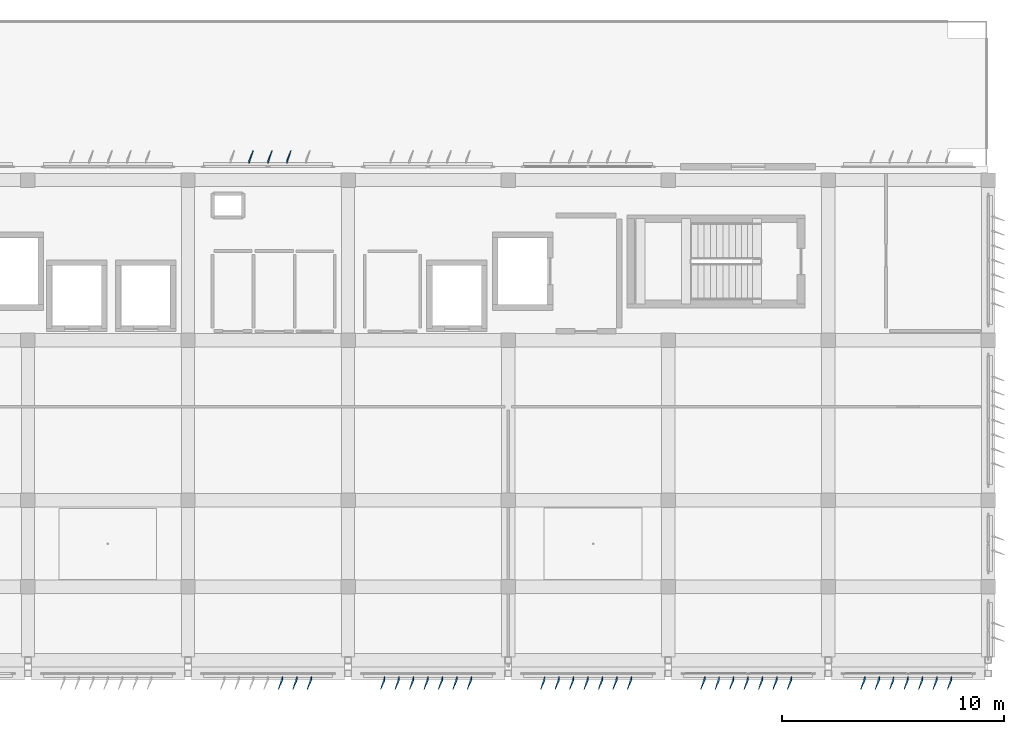
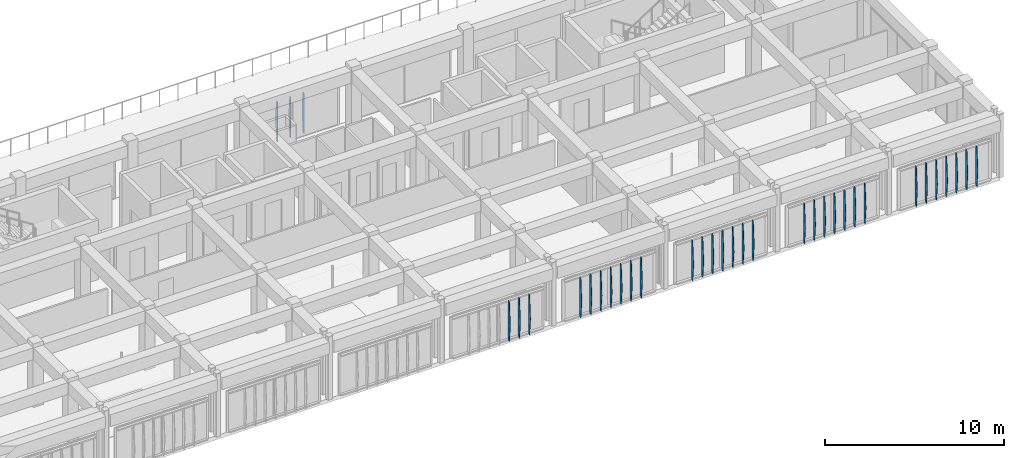
# One storey, part 38 of 42: 34 plates.
"""IFC4 building model written with IfcOpenShell, lengths in metres."""

from ifc_helpers import new_model, si_unit, direction, frame, origin, place, context, subcontext, project, spatial, polygons, material, layer, layer_set, type_object, element, save


model = new_model("IFC4")

# Units and contexts
model_context = context("Model", 3, precision=1e-05, world=origin(), true_north=direction((0.0, 1.0)))
body_context = subcontext(model_context, "Body", "Model", "MODEL_VIEW")
ifc_project = project(units=[si_unit("LENGTHUNIT", "METRE"), si_unit("AREAUNIT", "SQUARE_METRE"), si_unit("VOLUMEUNIT", "CUBIC_METRE"), si_unit("PLANEANGLEUNIT", "RADIAN"), si_unit("MASSUNIT", "GRAM", prefix="KILO")], contexts=[model_context])

# Site, building, storey
site_placement = place(None, origin())
site = spatial("IfcSite", under=ifc_project, at=site_placement, CompositionType="ELEMENT")
building_placement = place(site_placement, origin())
building = spatial("IfcBuilding", under=site, at=building_placement, Name="Kazehaya Institute of Natural Sciences", CompositionType="ELEMENT")
storey_placement = place(building_placement, frame((0.0, 0.0, 37.6201171875)))
storey = spatial("IfcBuildingStorey", under=building, at=storey_placement, Name="L08", CompositionType="ELEMENT", Elevation=37.6201171875)

# Plates
ifc_material = material(Name="Bronze-anodised aluminium alloy A6063S-T5", Category="aluminium")
ifc_layer_1 = layer(ifc_material, 0.02001953125, Name="Bronze-anodised aluminium alloy A6063S-T5", Category="aluminium")
ifc_layer_set_1 = layer_set([ifc_layer_1], Name="Bronze-anodised aluminium alloy A6063S-T5")
plate_type_1 = type_object("IfcPlateType", Name="FIN-DF-N1", PredefinedType="USERDEFINED", material=ifc_layer_set_1)
plate_1_placement = place(storey_placement, origin())
element("IfcPlate", 1, at=plate_1_placement, inside=storey, type_object=plate_type_1, Name="L08 folded diamond-pyramid shading fin FIN-L08-N-0786", ObjectType="SHADING_FIN", PredefinedType="USERDEFINED", context=body_context, shape_type="Tessellation", body=[
    polygons([(86.139892578125, 29.155029296875, 0.039794921875), (86.139892578125, 29.300048828125, 0.039794921875), (86.318603515625, 29.7099609375, 1.409912109375), (86.139892578125, 29.300048828125, 2.77978515625), (86.139892578125, 29.155029296875, 2.77978515625), (86.159912109375, 29.155029296875, 0.039794921875), (86.159912109375, 29.300048828125, 0.039794921875), (86.338623046875, 29.7099609375, 1.409912109375), (86.159912109375, 29.300048828125, 2.77978515625), (86.159912109375, 29.155029296875, 2.77978515625)], [[[1, 5, 4, 3, 2]], [[6, 7, 8, 9, 10]], [[1, 2, 7, 6]], [[2, 3, 8, 7]], [[3, 4, 9, 8]], [[4, 5, 10, 9]], [[5, 1, 6, 10]]], closed=True),
])
plate_2_placement = place(storey_placement, origin())
element("IfcPlate", 2, at=plate_2_placement, inside=storey, type_object=plate_type_1, Name="L08 folded diamond-pyramid shading fin FIN-L08-N-0787", ObjectType="SHADING_FIN", PredefinedType="USERDEFINED", context=body_context, shape_type="Tessellation", body=[
    polygons([(86.989990234375, 29.155029296875, 0.039794921875), (86.989990234375, 29.300048828125, 0.039794921875), (87.168701171875, 29.7099609375, 1.409912109375), (86.989990234375, 29.300048828125, 2.77978515625), (86.989990234375, 29.155029296875, 2.77978515625), (87.010009765625, 29.155029296875, 0.039794921875), (87.010009765625, 29.300048828125, 0.039794921875), (87.188720703125, 29.7099609375, 1.409912109375), (87.010009765625, 29.300048828125, 2.77978515625), (87.010009765625, 29.155029296875, 2.77978515625)], [[[1, 5, 4, 3, 2]], [[6, 7, 8, 9, 10]], [[1, 2, 7, 6]], [[2, 3, 8, 7]], [[3, 4, 9, 8]], [[4, 5, 10, 9]], [[5, 1, 6, 10]]], closed=True),
])
plate_3_placement = place(storey_placement, origin())
element("IfcPlate", 3, at=plate_3_placement, inside=storey, type_object=plate_type_1, Name="L08 folded diamond-pyramid shading fin FIN-L08-N-0788", ObjectType="SHADING_FIN", PredefinedType="USERDEFINED", context=body_context, shape_type="Tessellation", body=[
    polygons([(87.840087890625, 29.155029296875, 0.039794921875), (87.840087890625, 29.300048828125, 0.039794921875), (88.018798828125, 29.7099609375, 1.409912109375), (87.840087890625, 29.300048828125, 2.77978515625), (87.840087890625, 29.155029296875, 2.77978515625), (87.860107421875, 29.155029296875, 0.039794921875), (87.860107421875, 29.300048828125, 0.039794921875), (88.038818359375, 29.7099609375, 1.409912109375), (87.860107421875, 29.300048828125, 2.77978515625), (87.860107421875, 29.155029296875, 2.77978515625)], [[[1, 5, 4, 3, 2]], [[6, 7, 8, 9, 10]], [[1, 2, 7, 6]], [[2, 3, 8, 7]], [[3, 4, 9, 8]], [[4, 5, 10, 9]], [[5, 1, 6, 10]]], closed=True),
])
ifc_layer_2 = layer(ifc_material, 0.02001953125, Name="Bronze-anodised aluminium alloy A6063S-T5", Category="aluminium")
ifc_layer_set_2 = layer_set([ifc_layer_2], Name="Bronze-anodised aluminium alloy A6063S-T5")
plate_type_2 = type_object("IfcPlateType", Name="FIN-DF-S1", PredefinedType="USERDEFINED", material=ifc_layer_set_2)
plate_4_placement = place(storey_placement, origin())
element("IfcPlate", 4, at=plate_4_placement, inside=storey, type_object=plate_type_2, Name="L08 folded diamond-pyramid shading fin FIN-L08-S-0702", ObjectType="SHADING_FIN", PredefinedType="USERDEFINED", context=body_context, shape_type="Tessellation", body=[
    polygons([(117.760009765625, 6.044921875, 0.039794921875), (117.760009765625, 5.89990234375, 0.039794921875), (117.581298828125, 5.489990234375, 1.409912109375), (117.760009765625, 5.89990234375, 2.77978515625), (117.760009765625, 6.044921875, 2.77978515625), (117.739990234375, 6.044921875, 0.039794921875), (117.739990234375, 5.89990234375, 0.039794921875), (117.561279296875, 5.489990234375, 1.409912109375), (117.739990234375, 5.89990234375, 2.77978515625), (117.739990234375, 6.044921875, 2.77978515625)], [[[1, 5, 4, 3, 2]], [[6, 7, 8, 9, 10]], [[1, 2, 7, 6]], [[2, 3, 8, 7]], [[3, 4, 9, 8]], [[4, 5, 10, 9]], [[5, 1, 6, 10]]], closed=True),
])
plate_5_placement = place(storey_placement, origin())
element("IfcPlate", 5, at=plate_5_placement, inside=storey, type_object=plate_type_2, Name="L08 folded diamond-pyramid shading fin FIN-L08-S-0703", ObjectType="SHADING_FIN", PredefinedType="USERDEFINED", context=body_context, shape_type="Tessellation", body=[
    polygons([(117.110107421875, 6.044921875, 0.039794921875), (117.110107421875, 5.89990234375, 0.039794921875), (116.931396484375, 5.489990234375, 1.409912109375), (117.110107421875, 5.89990234375, 2.77978515625), (117.110107421875, 6.044921875, 2.77978515625), (117.090087890625, 6.044921875, 0.039794921875), (117.090087890625, 5.89990234375, 0.039794921875), (116.911376953125, 5.489990234375, 1.409912109375), (117.090087890625, 5.89990234375, 2.77978515625), (117.090087890625, 6.044921875, 2.77978515625)], [[[1, 5, 4, 3, 2]], [[6, 7, 8, 9, 10]], [[1, 2, 7, 6]], [[2, 3, 8, 7]], [[3, 4, 9, 8]], [[4, 5, 10, 9]], [[5, 1, 6, 10]]], closed=True),
])
plate_6_placement = place(storey_placement, origin())
element("IfcPlate", 6, at=plate_6_placement, inside=storey, type_object=plate_type_2, Name="L08 folded diamond-pyramid shading fin FIN-L08-S-0704", ObjectType="SHADING_FIN", PredefinedType="USERDEFINED", context=body_context, shape_type="Tessellation", body=[
    polygons([(116.4599609375, 6.044921875, 0.039794921875), (116.4599609375, 5.89990234375, 0.039794921875), (116.28125, 5.489990234375, 1.409912109375), (116.4599609375, 5.89990234375, 2.77978515625), (116.4599609375, 6.044921875, 2.77978515625), (116.43994140625, 6.044921875, 0.039794921875), (116.43994140625, 5.89990234375, 0.039794921875), (116.26123046875, 5.489990234375, 1.409912109375), (116.43994140625, 5.89990234375, 2.77978515625), (116.43994140625, 6.044921875, 2.77978515625)], [[[1, 5, 4, 3, 2]], [[6, 7, 8, 9, 10]], [[1, 2, 7, 6]], [[2, 3, 8, 7]], [[3, 4, 9, 8]], [[4, 5, 10, 9]], [[5, 1, 6, 10]]], closed=True),
])
plate_7_placement = place(storey_placement, origin())
element("IfcPlate", 7, at=plate_7_placement, inside=storey, type_object=plate_type_2, Name="L08 folded diamond-pyramid shading fin FIN-L08-S-0705", ObjectType="SHADING_FIN", PredefinedType="USERDEFINED", context=body_context, shape_type="Tessellation", body=[
    polygons([(115.81005859375, 6.044921875, 0.039794921875), (115.81005859375, 5.89990234375, 0.039794921875), (115.63134765625, 5.489990234375, 1.409912109375), (115.81005859375, 5.89990234375, 2.77978515625), (115.81005859375, 6.044921875, 2.77978515625), (115.7900390625, 6.044921875, 0.039794921875), (115.7900390625, 5.89990234375, 0.039794921875), (115.611328125, 5.489990234375, 1.409912109375), (115.7900390625, 5.89990234375, 2.77978515625), (115.7900390625, 6.044921875, 2.77978515625)], [[[1, 5, 4, 3, 2]], [[6, 7, 8, 9, 10]], [[1, 2, 7, 6]], [[2, 3, 8, 7]], [[3, 4, 9, 8]], [[4, 5, 10, 9]], [[5, 1, 6, 10]]], closed=True),
])
plate_8_placement = place(storey_placement, origin())
element("IfcPlate", 8, at=plate_8_placement, inside=storey, type_object=plate_type_2, Name="L08 folded diamond-pyramid shading fin FIN-L08-S-0706", ObjectType="SHADING_FIN", PredefinedType="USERDEFINED", context=body_context, shape_type="Tessellation", body=[
    polygons([(115.159912109375, 6.044921875, 0.039794921875), (115.159912109375, 5.89990234375, 0.039794921875), (114.981201171875, 5.489990234375, 1.409912109375), (115.159912109375, 5.89990234375, 2.77978515625), (115.159912109375, 6.044921875, 2.77978515625), (115.139892578125, 6.044921875, 0.039794921875), (115.139892578125, 5.89990234375, 0.039794921875), (114.961181640625, 5.489990234375, 1.409912109375), (115.139892578125, 5.89990234375, 2.77978515625), (115.139892578125, 6.044921875, 2.77978515625)], [[[1, 5, 4, 3, 2]], [[6, 7, 8, 9, 10]], [[1, 2, 7, 6]], [[2, 3, 8, 7]], [[3, 4, 9, 8]], [[4, 5, 10, 9]], [[5, 1, 6, 10]]], closed=True),
])
plate_9_placement = place(storey_placement, origin())
element("IfcPlate", 9, at=plate_9_placement, inside=storey, type_object=plate_type_2, Name="L08 folded diamond-pyramid shading fin FIN-L08-S-0707", ObjectType="SHADING_FIN", PredefinedType="USERDEFINED", context=body_context, shape_type="Tessellation", body=[
    polygons([(114.510009765625, 6.044921875, 0.039794921875), (114.510009765625, 5.89990234375, 0.039794921875), (114.331298828125, 5.489990234375, 1.409912109375), (114.510009765625, 5.89990234375, 2.77978515625), (114.510009765625, 6.044921875, 2.77978515625), (114.489990234375, 6.044921875, 0.039794921875), (114.489990234375, 5.89990234375, 0.039794921875), (114.311279296875, 5.489990234375, 1.409912109375), (114.489990234375, 5.89990234375, 2.77978515625), (114.489990234375, 6.044921875, 2.77978515625)], [[[1, 5, 4, 3, 2]], [[6, 7, 8, 9, 10]], [[1, 2, 7, 6]], [[2, 3, 8, 7]], [[3, 4, 9, 8]], [[4, 5, 10, 9]], [[5, 1, 6, 10]]], closed=True),
])
plate_10_placement = place(storey_placement, origin())
element("IfcPlate", 10, at=plate_10_placement, inside=storey, type_object=plate_type_2, Name="L08 folded diamond-pyramid shading fin FIN-L08-S-0708", ObjectType="SHADING_FIN", PredefinedType="USERDEFINED", context=body_context, shape_type="Tessellation", body=[
    polygons([(113.860107421875, 6.044921875, 0.039794921875), (113.860107421875, 5.89990234375, 0.039794921875), (113.681396484375, 5.489990234375, 1.409912109375), (113.860107421875, 5.89990234375, 2.77978515625), (113.860107421875, 6.044921875, 2.77978515625), (113.840087890625, 6.044921875, 0.039794921875), (113.840087890625, 5.89990234375, 0.039794921875), (113.661376953125, 5.489990234375, 1.409912109375), (113.840087890625, 5.89990234375, 2.77978515625), (113.840087890625, 6.044921875, 2.77978515625)], [[[1, 5, 4, 3, 2]], [[6, 7, 8, 9, 10]], [[1, 2, 7, 6]], [[2, 3, 8, 7]], [[3, 4, 9, 8]], [[4, 5, 10, 9]], [[5, 1, 6, 10]]], closed=True),
])
plate_11_placement = place(storey_placement, origin())
element("IfcPlate", 11, at=plate_11_placement, inside=storey, type_object=plate_type_2, Name="L08 folded diamond-pyramid shading fin FIN-L08-S-0709", ObjectType="SHADING_FIN", PredefinedType="USERDEFINED", context=body_context, shape_type="Tessellation", body=[
    polygons([(110.56005859375, 6.044921875, 0.039794921875), (110.56005859375, 5.89990234375, 0.039794921875), (110.38134765625, 5.489990234375, 1.409912109375), (110.56005859375, 5.89990234375, 2.77978515625), (110.56005859375, 6.044921875, 2.77978515625), (110.5400390625, 6.044921875, 0.039794921875), (110.5400390625, 5.89990234375, 0.039794921875), (110.361328125, 5.489990234375, 1.409912109375), (110.5400390625, 5.89990234375, 2.77978515625), (110.5400390625, 6.044921875, 2.77978515625)], [[[1, 5, 4, 3, 2]], [[6, 7, 8, 9, 10]], [[1, 2, 7, 6]], [[2, 3, 8, 7]], [[3, 4, 9, 8]], [[4, 5, 10, 9]], [[5, 1, 6, 10]]], closed=True),
])
plate_12_placement = place(storey_placement, origin())
element("IfcPlate", 12, at=plate_12_placement, inside=storey, type_object=plate_type_2, Name="L08 folded diamond-pyramid shading fin FIN-L08-S-0710", ObjectType="SHADING_FIN", PredefinedType="USERDEFINED", context=body_context, shape_type="Tessellation", body=[
    polygons([(109.909912109375, 6.044921875, 0.039794921875), (109.909912109375, 5.89990234375, 0.039794921875), (109.731201171875, 5.489990234375, 1.409912109375), (109.909912109375, 5.89990234375, 2.77978515625), (109.909912109375, 6.044921875, 2.77978515625), (109.889892578125, 6.044921875, 0.039794921875), (109.889892578125, 5.89990234375, 0.039794921875), (109.711181640625, 5.489990234375, 1.409912109375), (109.889892578125, 5.89990234375, 2.77978515625), (109.889892578125, 6.044921875, 2.77978515625)], [[[1, 5, 4, 3, 2]], [[6, 7, 8, 9, 10]], [[1, 2, 7, 6]], [[2, 3, 8, 7]], [[3, 4, 9, 8]], [[4, 5, 10, 9]], [[5, 1, 6, 10]]], closed=True),
])
plate_13_placement = place(storey_placement, origin())
element("IfcPlate", 13, at=plate_13_placement, inside=storey, type_object=plate_type_2, Name="L08 folded diamond-pyramid shading fin FIN-L08-S-0711", ObjectType="SHADING_FIN", PredefinedType="USERDEFINED", context=body_context, shape_type="Tessellation", body=[
    polygons([(109.260009765625, 6.044921875, 0.039794921875), (109.260009765625, 5.89990234375, 0.039794921875), (109.081298828125, 5.489990234375, 1.409912109375), (109.260009765625, 5.89990234375, 2.77978515625), (109.260009765625, 6.044921875, 2.77978515625), (109.239990234375, 6.044921875, 0.039794921875), (109.239990234375, 5.89990234375, 0.039794921875), (109.061279296875, 5.489990234375, 1.409912109375), (109.239990234375, 5.89990234375, 2.77978515625), (109.239990234375, 6.044921875, 2.77978515625)], [[[1, 5, 4, 3, 2]], [[6, 7, 8, 9, 10]], [[1, 2, 7, 6]], [[2, 3, 8, 7]], [[3, 4, 9, 8]], [[4, 5, 10, 9]], [[5, 1, 6, 10]]], closed=True),
])
plate_14_placement = place(storey_placement, origin())
element("IfcPlate", 14, at=plate_14_placement, inside=storey, type_object=plate_type_2, Name="L08 folded diamond-pyramid shading fin FIN-L08-S-0712", ObjectType="SHADING_FIN", PredefinedType="USERDEFINED", context=body_context, shape_type="Tessellation", body=[
    polygons([(108.610107421875, 6.044921875, 0.039794921875), (108.610107421875, 5.89990234375, 0.039794921875), (108.431396484375, 5.489990234375, 1.409912109375), (108.610107421875, 5.89990234375, 2.77978515625), (108.610107421875, 6.044921875, 2.77978515625), (108.590087890625, 6.044921875, 0.039794921875), (108.590087890625, 5.89990234375, 0.039794921875), (108.411376953125, 5.489990234375, 1.409912109375), (108.590087890625, 5.89990234375, 2.77978515625), (108.590087890625, 6.044921875, 2.77978515625)], [[[1, 5, 4, 3, 2]], [[6, 7, 8, 9, 10]], [[1, 2, 7, 6]], [[2, 3, 8, 7]], [[3, 4, 9, 8]], [[4, 5, 10, 9]], [[5, 1, 6, 10]]], closed=True),
])
plate_15_placement = place(storey_placement, origin())
element("IfcPlate", 15, at=plate_15_placement, inside=storey, type_object=plate_type_2, Name="L08 folded diamond-pyramid shading fin FIN-L08-S-0713", ObjectType="SHADING_FIN", PredefinedType="USERDEFINED", context=body_context, shape_type="Tessellation", body=[
    polygons([(107.9599609375, 6.044921875, 0.039794921875), (107.9599609375, 5.89990234375, 0.039794921875), (107.78125, 5.489990234375, 1.409912109375), (107.9599609375, 5.89990234375, 2.77978515625), (107.9599609375, 6.044921875, 2.77978515625), (107.93994140625, 6.044921875, 0.039794921875), (107.93994140625, 5.89990234375, 0.039794921875), (107.76123046875, 5.489990234375, 1.409912109375), (107.93994140625, 5.89990234375, 2.77978515625), (107.93994140625, 6.044921875, 2.77978515625)], [[[1, 5, 4, 3, 2]], [[6, 7, 8, 9, 10]], [[1, 2, 7, 6]], [[2, 3, 8, 7]], [[3, 4, 9, 8]], [[4, 5, 10, 9]], [[5, 1, 6, 10]]], closed=True),
])
plate_16_placement = place(storey_placement, origin())
element("IfcPlate", 16, at=plate_16_placement, inside=storey, type_object=plate_type_2, Name="L08 folded diamond-pyramid shading fin FIN-L08-S-0714", ObjectType="SHADING_FIN", PredefinedType="USERDEFINED", context=body_context, shape_type="Tessellation", body=[
    polygons([(107.31005859375, 6.044921875, 0.039794921875), (107.31005859375, 5.89990234375, 0.039794921875), (107.13134765625, 5.489990234375, 1.409912109375), (107.31005859375, 5.89990234375, 2.77978515625), (107.31005859375, 6.044921875, 2.77978515625), (107.2900390625, 6.044921875, 0.039794921875), (107.2900390625, 5.89990234375, 0.039794921875), (107.111328125, 5.489990234375, 1.409912109375), (107.2900390625, 5.89990234375, 2.77978515625), (107.2900390625, 6.044921875, 2.77978515625)], [[[1, 5, 4, 3, 2]], [[6, 7, 8, 9, 10]], [[1, 2, 7, 6]], [[2, 3, 8, 7]], [[3, 4, 9, 8]], [[4, 5, 10, 9]], [[5, 1, 6, 10]]], closed=True),
])
plate_17_placement = place(storey_placement, origin())
element("IfcPlate", 17, at=plate_17_placement, inside=storey, type_object=plate_type_2, Name="L08 folded diamond-pyramid shading fin FIN-L08-S-0715", ObjectType="SHADING_FIN", PredefinedType="USERDEFINED", context=body_context, shape_type="Tessellation", body=[
    polygons([(106.659912109375, 6.044921875, 0.039794921875), (106.659912109375, 5.89990234375, 0.039794921875), (106.481201171875, 5.489990234375, 1.409912109375), (106.659912109375, 5.89990234375, 2.77978515625), (106.659912109375, 6.044921875, 2.77978515625), (106.639892578125, 6.044921875, 0.039794921875), (106.639892578125, 5.89990234375, 0.039794921875), (106.461181640625, 5.489990234375, 1.409912109375), (106.639892578125, 5.89990234375, 2.77978515625), (106.639892578125, 6.044921875, 2.77978515625)], [[[1, 5, 4, 3, 2]], [[6, 7, 8, 9, 10]], [[1, 2, 7, 6]], [[2, 3, 8, 7]], [[3, 4, 9, 8]], [[4, 5, 10, 9]], [[5, 1, 6, 10]]], closed=True),
])
plate_18_placement = place(storey_placement, origin())
element("IfcPlate", 18, at=plate_18_placement, inside=storey, type_object=plate_type_2, Name="L08 folded diamond-pyramid shading fin FIN-L08-S-0716", ObjectType="SHADING_FIN", PredefinedType="USERDEFINED", context=body_context, shape_type="Tessellation", body=[
    polygons([(103.360107421875, 6.044921875, 0.039794921875), (103.360107421875, 5.89990234375, 0.039794921875), (103.181396484375, 5.489990234375, 1.409912109375), (103.360107421875, 5.89990234375, 2.77978515625), (103.360107421875, 6.044921875, 2.77978515625), (103.340087890625, 6.044921875, 0.039794921875), (103.340087890625, 5.89990234375, 0.039794921875), (103.161376953125, 5.489990234375, 1.409912109375), (103.340087890625, 5.89990234375, 2.77978515625), (103.340087890625, 6.044921875, 2.77978515625)], [[[1, 5, 4, 3, 2]], [[6, 7, 8, 9, 10]], [[1, 2, 7, 6]], [[2, 3, 8, 7]], [[3, 4, 9, 8]], [[4, 5, 10, 9]], [[5, 1, 6, 10]]], closed=True),
])
plate_19_placement = place(storey_placement, origin())
element("IfcPlate", 19, at=plate_19_placement, inside=storey, type_object=plate_type_2, Name="L08 folded diamond-pyramid shading fin FIN-L08-S-0717", ObjectType="SHADING_FIN", PredefinedType="USERDEFINED", context=body_context, shape_type="Tessellation", body=[
    polygons([(102.7099609375, 6.044921875, 0.039794921875), (102.7099609375, 5.89990234375, 0.039794921875), (102.53125, 5.489990234375, 1.409912109375), (102.7099609375, 5.89990234375, 2.77978515625), (102.7099609375, 6.044921875, 2.77978515625), (102.68994140625, 6.044921875, 0.039794921875), (102.68994140625, 5.89990234375, 0.039794921875), (102.51123046875, 5.489990234375, 1.409912109375), (102.68994140625, 5.89990234375, 2.77978515625), (102.68994140625, 6.044921875, 2.77978515625)], [[[1, 5, 4, 3, 2]], [[6, 7, 8, 9, 10]], [[1, 2, 7, 6]], [[2, 3, 8, 7]], [[3, 4, 9, 8]], [[4, 5, 10, 9]], [[5, 1, 6, 10]]], closed=True),
])
plate_20_placement = place(storey_placement, origin())
element("IfcPlate", 20, at=plate_20_placement, inside=storey, type_object=plate_type_2, Name="L08 folded diamond-pyramid shading fin FIN-L08-S-0718", ObjectType="SHADING_FIN", PredefinedType="USERDEFINED", context=body_context, shape_type="Tessellation", body=[
    polygons([(102.06005859375, 6.044921875, 0.039794921875), (102.06005859375, 5.89990234375, 0.039794921875), (101.88134765625, 5.489990234375, 1.409912109375), (102.06005859375, 5.89990234375, 2.77978515625), (102.06005859375, 6.044921875, 2.77978515625), (102.0400390625, 6.044921875, 0.039794921875), (102.0400390625, 5.89990234375, 0.039794921875), (101.861328125, 5.489990234375, 1.409912109375), (102.0400390625, 5.89990234375, 2.77978515625), (102.0400390625, 6.044921875, 2.77978515625)], [[[1, 5, 4, 3, 2]], [[6, 7, 8, 9, 10]], [[1, 2, 7, 6]], [[2, 3, 8, 7]], [[3, 4, 9, 8]], [[4, 5, 10, 9]], [[5, 1, 6, 10]]], closed=True),
])
plate_21_placement = place(storey_placement, origin())
element("IfcPlate", 21, at=plate_21_placement, inside=storey, type_object=plate_type_2, Name="L08 folded diamond-pyramid shading fin FIN-L08-S-0719", ObjectType="SHADING_FIN", PredefinedType="USERDEFINED", context=body_context, shape_type="Tessellation", body=[
    polygons([(101.409912109375, 6.044921875, 0.039794921875), (101.409912109375, 5.89990234375, 0.039794921875), (101.231201171875, 5.489990234375, 1.409912109375), (101.409912109375, 5.89990234375, 2.77978515625), (101.409912109375, 6.044921875, 2.77978515625), (101.389892578125, 6.044921875, 0.039794921875), (101.389892578125, 5.89990234375, 0.039794921875), (101.211181640625, 5.489990234375, 1.409912109375), (101.389892578125, 5.89990234375, 2.77978515625), (101.389892578125, 6.044921875, 2.77978515625)], [[[1, 5, 4, 3, 2]], [[6, 7, 8, 9, 10]], [[1, 2, 7, 6]], [[2, 3, 8, 7]], [[3, 4, 9, 8]], [[4, 5, 10, 9]], [[5, 1, 6, 10]]], closed=True),
])
plate_22_placement = place(storey_placement, origin())
element("IfcPlate", 22, at=plate_22_placement, inside=storey, type_object=plate_type_2, Name="L08 folded diamond-pyramid shading fin FIN-L08-S-0720", ObjectType="SHADING_FIN", PredefinedType="USERDEFINED", context=body_context, shape_type="Tessellation", body=[
    polygons([(100.760009765625, 6.044921875, 0.039794921875), (100.760009765625, 5.89990234375, 0.039794921875), (100.581298828125, 5.489990234375, 1.409912109375), (100.760009765625, 5.89990234375, 2.77978515625), (100.760009765625, 6.044921875, 2.77978515625), (100.739990234375, 6.044921875, 0.039794921875), (100.739990234375, 5.89990234375, 0.039794921875), (100.561279296875, 5.489990234375, 1.409912109375), (100.739990234375, 5.89990234375, 2.77978515625), (100.739990234375, 6.044921875, 2.77978515625)], [[[1, 5, 4, 3, 2]], [[6, 7, 8, 9, 10]], [[1, 2, 7, 6]], [[2, 3, 8, 7]], [[3, 4, 9, 8]], [[4, 5, 10, 9]], [[5, 1, 6, 10]]], closed=True),
])
plate_23_placement = place(storey_placement, origin())
element("IfcPlate", 23, at=plate_23_placement, inside=storey, type_object=plate_type_2, Name="L08 folded diamond-pyramid shading fin FIN-L08-S-0721", ObjectType="SHADING_FIN", PredefinedType="USERDEFINED", context=body_context, shape_type="Tessellation", body=[
    polygons([(100.110107421875, 6.044921875, 0.039794921875), (100.110107421875, 5.89990234375, 0.039794921875), (99.931396484375, 5.489990234375, 1.409912109375), (100.110107421875, 5.89990234375, 2.77978515625), (100.110107421875, 6.044921875, 2.77978515625), (100.090087890625, 6.044921875, 0.039794921875), (100.090087890625, 5.89990234375, 0.039794921875), (99.911376953125, 5.489990234375, 1.409912109375), (100.090087890625, 5.89990234375, 2.77978515625), (100.090087890625, 6.044921875, 2.77978515625)], [[[1, 5, 4, 3, 2]], [[6, 7, 8, 9, 10]], [[1, 2, 7, 6]], [[2, 3, 8, 7]], [[3, 4, 9, 8]], [[4, 5, 10, 9]], [[5, 1, 6, 10]]], closed=True),
])
plate_24_placement = place(storey_placement, origin())
element("IfcPlate", 24, at=plate_24_placement, inside=storey, type_object=plate_type_2, Name="L08 folded diamond-pyramid shading fin FIN-L08-S-0722", ObjectType="SHADING_FIN", PredefinedType="USERDEFINED", context=body_context, shape_type="Tessellation", body=[
    polygons([(99.4599609375, 6.044921875, 0.039794921875), (99.4599609375, 5.89990234375, 0.039794921875), (99.28125, 5.489990234375, 1.409912109375), (99.4599609375, 5.89990234375, 2.77978515625), (99.4599609375, 6.044921875, 2.77978515625), (99.43994140625, 6.044921875, 0.039794921875), (99.43994140625, 5.89990234375, 0.039794921875), (99.26123046875, 5.489990234375, 1.409912109375), (99.43994140625, 5.89990234375, 2.77978515625), (99.43994140625, 6.044921875, 2.77978515625)], [[[1, 5, 4, 3, 2]], [[6, 7, 8, 9, 10]], [[1, 2, 7, 6]], [[2, 3, 8, 7]], [[3, 4, 9, 8]], [[4, 5, 10, 9]], [[5, 1, 6, 10]]], closed=True),
])
plate_25_placement = place(storey_placement, origin())
element("IfcPlate", 25, at=plate_25_placement, inside=storey, type_object=plate_type_2, Name="L08 folded diamond-pyramid shading fin FIN-L08-S-0723", ObjectType="SHADING_FIN", PredefinedType="USERDEFINED", context=body_context, shape_type="Tessellation", body=[
    polygons([(96.159912109375, 6.044921875, 0.039794921875), (96.159912109375, 5.89990234375, 0.039794921875), (95.981201171875, 5.489990234375, 1.409912109375), (96.159912109375, 5.89990234375, 2.77978515625), (96.159912109375, 6.044921875, 2.77978515625), (96.139892578125, 6.044921875, 0.039794921875), (96.139892578125, 5.89990234375, 0.039794921875), (95.961181640625, 5.489990234375, 1.409912109375), (96.139892578125, 5.89990234375, 2.77978515625), (96.139892578125, 6.044921875, 2.77978515625)], [[[1, 5, 4, 3, 2]], [[6, 7, 8, 9, 10]], [[1, 2, 7, 6]], [[2, 3, 8, 7]], [[3, 4, 9, 8]], [[4, 5, 10, 9]], [[5, 1, 6, 10]]], closed=True),
])
plate_26_placement = place(storey_placement, origin())
element("IfcPlate", 26, at=plate_26_placement, inside=storey, type_object=plate_type_2, Name="L08 folded diamond-pyramid shading fin FIN-L08-S-0724", ObjectType="SHADING_FIN", PredefinedType="USERDEFINED", context=body_context, shape_type="Tessellation", body=[
    polygons([(95.510009765625, 6.044921875, 0.039794921875), (95.510009765625, 5.89990234375, 0.039794921875), (95.331298828125, 5.489990234375, 1.409912109375), (95.510009765625, 5.89990234375, 2.77978515625), (95.510009765625, 6.044921875, 2.77978515625), (95.489990234375, 6.044921875, 0.039794921875), (95.489990234375, 5.89990234375, 0.039794921875), (95.311279296875, 5.489990234375, 1.409912109375), (95.489990234375, 5.89990234375, 2.77978515625), (95.489990234375, 6.044921875, 2.77978515625)], [[[1, 5, 4, 3, 2]], [[6, 7, 8, 9, 10]], [[1, 2, 7, 6]], [[2, 3, 8, 7]], [[3, 4, 9, 8]], [[4, 5, 10, 9]], [[5, 1, 6, 10]]], closed=True),
])
plate_27_placement = place(storey_placement, origin())
element("IfcPlate", 27, at=plate_27_placement, inside=storey, type_object=plate_type_2, Name="L08 folded diamond-pyramid shading fin FIN-L08-S-0725", ObjectType="SHADING_FIN", PredefinedType="USERDEFINED", context=body_context, shape_type="Tessellation", body=[
    polygons([(94.860107421875, 6.044921875, 0.039794921875), (94.860107421875, 5.89990234375, 0.039794921875), (94.681396484375, 5.489990234375, 1.409912109375), (94.860107421875, 5.89990234375, 2.77978515625), (94.860107421875, 6.044921875, 2.77978515625), (94.840087890625, 6.044921875, 0.039794921875), (94.840087890625, 5.89990234375, 0.039794921875), (94.661376953125, 5.489990234375, 1.409912109375), (94.840087890625, 5.89990234375, 2.77978515625), (94.840087890625, 6.044921875, 2.77978515625)], [[[1, 5, 4, 3, 2]], [[6, 7, 8, 9, 10]], [[1, 2, 7, 6]], [[2, 3, 8, 7]], [[3, 4, 9, 8]], [[4, 5, 10, 9]], [[5, 1, 6, 10]]], closed=True),
])
plate_28_placement = place(storey_placement, origin())
element("IfcPlate", 28, at=plate_28_placement, inside=storey, type_object=plate_type_2, Name="L08 folded diamond-pyramid shading fin FIN-L08-S-0726", ObjectType="SHADING_FIN", PredefinedType="USERDEFINED", context=body_context, shape_type="Tessellation", body=[
    polygons([(94.2099609375, 6.044921875, 0.039794921875), (94.2099609375, 5.89990234375, 0.039794921875), (94.03125, 5.489990234375, 1.409912109375), (94.2099609375, 5.89990234375, 2.77978515625), (94.2099609375, 6.044921875, 2.77978515625), (94.18994140625, 6.044921875, 0.039794921875), (94.18994140625, 5.89990234375, 0.039794921875), (94.01123046875, 5.489990234375, 1.409912109375), (94.18994140625, 5.89990234375, 2.77978515625), (94.18994140625, 6.044921875, 2.77978515625)], [[[1, 5, 4, 3, 2]], [[6, 7, 8, 9, 10]], [[1, 2, 7, 6]], [[2, 3, 8, 7]], [[3, 4, 9, 8]], [[4, 5, 10, 9]], [[5, 1, 6, 10]]], closed=True),
])
plate_29_placement = place(storey_placement, origin())
element("IfcPlate", 29, at=plate_29_placement, inside=storey, type_object=plate_type_2, Name="L08 folded diamond-pyramid shading fin FIN-L08-S-0727", ObjectType="SHADING_FIN", PredefinedType="USERDEFINED", context=body_context, shape_type="Tessellation", body=[
    polygons([(93.56005859375, 6.044921875, 0.039794921875), (93.56005859375, 5.89990234375, 0.039794921875), (93.38134765625, 5.489990234375, 1.409912109375), (93.56005859375, 5.89990234375, 2.77978515625), (93.56005859375, 6.044921875, 2.77978515625), (93.5400390625, 6.044921875, 0.039794921875), (93.5400390625, 5.89990234375, 0.039794921875), (93.361328125, 5.489990234375, 1.409912109375), (93.5400390625, 5.89990234375, 2.77978515625), (93.5400390625, 6.044921875, 2.77978515625)], [[[1, 5, 4, 3, 2]], [[6, 7, 8, 9, 10]], [[1, 2, 7, 6]], [[2, 3, 8, 7]], [[3, 4, 9, 8]], [[4, 5, 10, 9]], [[5, 1, 6, 10]]], closed=True),
])
plate_30_placement = place(storey_placement, origin())
element("IfcPlate", 30, at=plate_30_placement, inside=storey, type_object=plate_type_2, Name="L08 folded diamond-pyramid shading fin FIN-L08-S-0728", ObjectType="SHADING_FIN", PredefinedType="USERDEFINED", context=body_context, shape_type="Tessellation", body=[
    polygons([(92.909912109375, 6.044921875, 0.039794921875), (92.909912109375, 5.89990234375, 0.039794921875), (92.731201171875, 5.489990234375, 1.409912109375), (92.909912109375, 5.89990234375, 2.77978515625), (92.909912109375, 6.044921875, 2.77978515625), (92.889892578125, 6.044921875, 0.039794921875), (92.889892578125, 5.89990234375, 0.039794921875), (92.711181640625, 5.489990234375, 1.409912109375), (92.889892578125, 5.89990234375, 2.77978515625), (92.889892578125, 6.044921875, 2.77978515625)], [[[1, 5, 4, 3, 2]], [[6, 7, 8, 9, 10]], [[1, 2, 7, 6]], [[2, 3, 8, 7]], [[3, 4, 9, 8]], [[4, 5, 10, 9]], [[5, 1, 6, 10]]], closed=True),
])
plate_31_placement = place(storey_placement, origin())
element("IfcPlate", 31, at=plate_31_placement, inside=storey, type_object=plate_type_2, Name="L08 folded diamond-pyramid shading fin FIN-L08-S-0729", ObjectType="SHADING_FIN", PredefinedType="USERDEFINED", context=body_context, shape_type="Tessellation", body=[
    polygons([(92.260009765625, 6.044921875, 0.039794921875), (92.260009765625, 5.89990234375, 0.039794921875), (92.081298828125, 5.489990234375, 1.409912109375), (92.260009765625, 5.89990234375, 2.77978515625), (92.260009765625, 6.044921875, 2.77978515625), (92.239990234375, 6.044921875, 0.039794921875), (92.239990234375, 5.89990234375, 0.039794921875), (92.061279296875, 5.489990234375, 1.409912109375), (92.239990234375, 5.89990234375, 2.77978515625), (92.239990234375, 6.044921875, 2.77978515625)], [[[1, 5, 4, 3, 2]], [[6, 7, 8, 9, 10]], [[1, 2, 7, 6]], [[2, 3, 8, 7]], [[3, 4, 9, 8]], [[4, 5, 10, 9]], [[5, 1, 6, 10]]], closed=True),
])
plate_32_placement = place(storey_placement, origin())
element("IfcPlate", 32, at=plate_32_placement, inside=storey, type_object=plate_type_2, Name="L08 folded diamond-pyramid shading fin FIN-L08-S-0730", ObjectType="SHADING_FIN", PredefinedType="USERDEFINED", context=body_context, shape_type="Tessellation", body=[
    polygons([(88.9599609375, 6.044921875, 0.039794921875), (88.9599609375, 5.89990234375, 0.039794921875), (88.78125, 5.489990234375, 1.409912109375), (88.9599609375, 5.89990234375, 2.77978515625), (88.9599609375, 6.044921875, 2.77978515625), (88.93994140625, 6.044921875, 0.039794921875), (88.93994140625, 5.89990234375, 0.039794921875), (88.76123046875, 5.489990234375, 1.409912109375), (88.93994140625, 5.89990234375, 2.77978515625), (88.93994140625, 6.044921875, 2.77978515625)], [[[1, 5, 4, 3, 2]], [[6, 7, 8, 9, 10]], [[1, 2, 7, 6]], [[2, 3, 8, 7]], [[3, 4, 9, 8]], [[4, 5, 10, 9]], [[5, 1, 6, 10]]], closed=True),
])
plate_33_placement = place(storey_placement, origin())
element("IfcPlate", 33, at=plate_33_placement, inside=storey, type_object=plate_type_2, Name="L08 folded diamond-pyramid shading fin FIN-L08-S-0731", ObjectType="SHADING_FIN", PredefinedType="USERDEFINED", context=body_context, shape_type="Tessellation", body=[
    polygons([(88.31005859375, 6.044921875, 0.039794921875), (88.31005859375, 5.89990234375, 0.039794921875), (88.13134765625, 5.489990234375, 1.409912109375), (88.31005859375, 5.89990234375, 2.77978515625), (88.31005859375, 6.044921875, 2.77978515625), (88.2900390625, 6.044921875, 0.039794921875), (88.2900390625, 5.89990234375, 0.039794921875), (88.111328125, 5.489990234375, 1.409912109375), (88.2900390625, 5.89990234375, 2.77978515625), (88.2900390625, 6.044921875, 2.77978515625)], [[[1, 5, 4, 3, 2]], [[6, 7, 8, 9, 10]], [[1, 2, 7, 6]], [[2, 3, 8, 7]], [[3, 4, 9, 8]], [[4, 5, 10, 9]], [[5, 1, 6, 10]]], closed=True),
])
plate_34_placement = place(storey_placement, origin())
element("IfcPlate", 34, at=plate_34_placement, inside=storey, type_object=plate_type_2, Name="L08 folded diamond-pyramid shading fin FIN-L08-S-0732", ObjectType="SHADING_FIN", PredefinedType="USERDEFINED", context=body_context, shape_type="Tessellation", body=[
    polygons([(87.659912109375, 6.044921875, 0.039794921875), (87.659912109375, 5.89990234375, 0.039794921875), (87.481201171875, 5.489990234375, 1.409912109375), (87.659912109375, 5.89990234375, 2.77978515625), (87.659912109375, 6.044921875, 2.77978515625), (87.639892578125, 6.044921875, 0.039794921875), (87.639892578125, 5.89990234375, 0.039794921875), (87.461181640625, 5.489990234375, 1.409912109375), (87.639892578125, 5.89990234375, 2.77978515625), (87.639892578125, 6.044921875, 2.77978515625)], [[[1, 5, 4, 3, 2]], [[6, 7, 8, 9, 10]], [[1, 2, 7, 6]], [[2, 3, 8, 7]], [[3, 4, 9, 8]], [[4, 5, 10, 9]], [[5, 1, 6, 10]]], closed=True),
])

save(model, "model.ifc")
